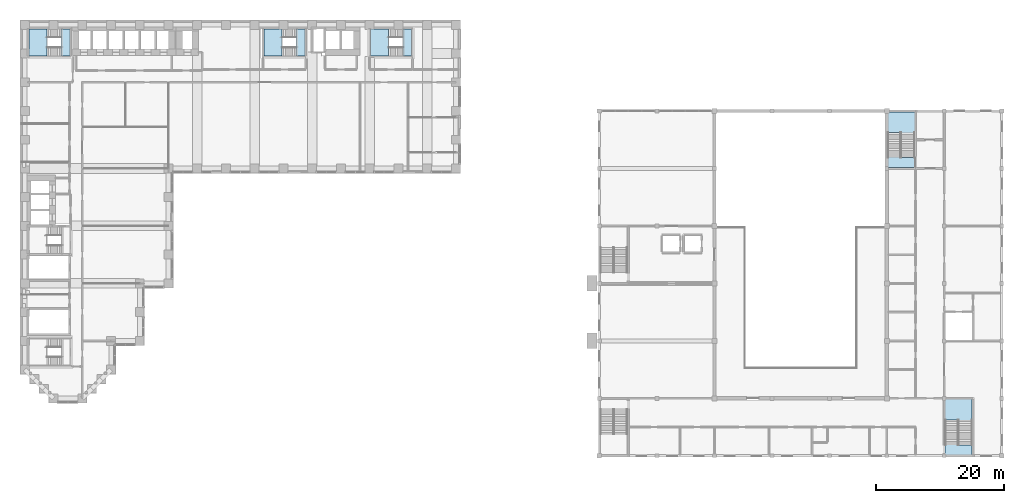
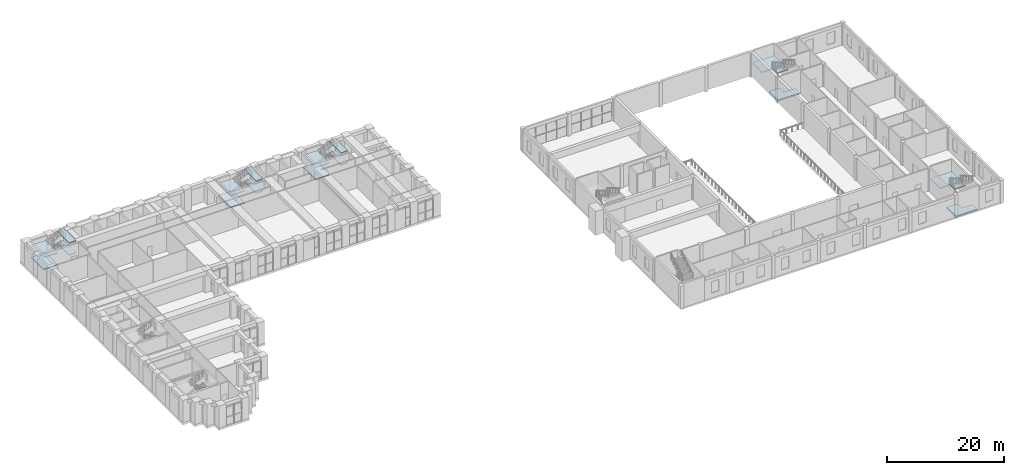
# One storey, part 17 of 34: 16 slabs, 5 elements without a shape of their own.
"""IFC4 building model written with IfcOpenShell, lengths in metres."""

import ifcopenshell
import ifcopenshell.guid

model = None  # the IFC model being written
_history = None  # IfcOwnerHistory: only IFC2X3 demands one
_inside = {}  # id of a spatial element -> (the spatial element, [elements in it])
_under = {}  # id of a project, library or spatial element -> (it, [spatial elements below it])
_declared = {}  # id of a project -> (the project, [libraries it declares])
_typed = {}  # id of a type object -> (the type object, [elements of that type])
_made_of = {}  # id of a material, layer set ... -> (it, [elements and type objects made of it])


def new_model(schema):
    """Start an empty IFC model of exactly this schema.

    Asked for "IFC4X3", IfcOpenShell would pick the latest addendum, in which some entities
    have other attributes; the version numbers below select the first issue.
    IFC2X3 requires an IfcOwnerHistory on every rooted entity: one is made here for all.
    """
    global model, _history
    if schema == "IFC4X3":
        model = ifcopenshell.file(schema_version=(4, 3, 0, 0))
    else:
        model = ifcopenshell.file(schema=schema)
    _inside.clear()
    _under.clear()
    _declared.clear()
    _typed.clear()
    _made_of.clear()
    _history = None
    if model.schema == "IFC2X3":
        org = make("IfcOrganization", Name="unknown")
        user = make(
            "IfcPersonAndOrganization",
            ThePerson=make("IfcPerson", FamilyName="unknown"),
            TheOrganization=org,
        )
        app = make(
            "IfcApplication",
            ApplicationDeveloper=org,
            Version="unknown",
            ApplicationFullName="unknown",
            ApplicationIdentifier="unknown",
        )
        _history = make(
            "IfcOwnerHistory",
            OwningUser=user,
            OwningApplication=app,
            ChangeAction="ADDED",
            CreationDate=0,
        )
    return model


def make(cls, **values):
    """One entity of the class cls with the attributes given. An attribute that is None is left unset."""
    return model.create_entity(
        cls, **{name: value for name, value in values.items() if value is not None}
    )


def rooted(cls, **values):
    """An entity with a GlobalId (a new one), such as an element, a storey or a relation."""
    return make(cls, GlobalId=ifcopenshell.guid.new(), OwnerHistory=_history, **values)


def si_unit(unit_type, name, prefix=None):
    """IfcSIUnit, for example si_unit("LENGTHUNIT", "METRE", prefix="MILLI")."""
    return make("IfcSIUnit", UnitType=unit_type, Prefix=prefix, Name=name)


def assignment(units):
    """IfcUnitAssignment: the units of a project."""
    return None if units is None else make("IfcUnitAssignment", Units=units)


def point(xyz):
    """IfcCartesianPoint."""
    return None if xyz is None else make("IfcCartesianPoint", Coordinates=xyz)


def direction(xyz):
    """IfcDirection."""
    return None if xyz is None else make("IfcDirection", DirectionRatios=xyz)


def frame(location, z_axis=None, x_axis=None):
    """IfcAxis2Placement3D, a coordinate frame: its origin and axes. An axis left out is left unset."""
    return make(
        "IfcAxis2Placement3D",
        Location=point(location),
        Axis=direction(z_axis),
        RefDirection=direction(x_axis),
    )


def origin():
    """The frame at (0, 0, 0) with its axes left unset."""
    return frame((0.0, 0.0, 0.0))


def place(relative_to, where):
    """IfcLocalPlacement: puts the frame where relative to a parent placement (None: the world)."""
    return make(
        "IfcLocalPlacement", PlacementRelTo=relative_to, RelativePlacement=where
    )


def context(
    kind, dimensions, precision=None, world=None, true_north=None, identifier=None
):
    """IfcGeometricRepresentationContext, for example the 3D "Model" context."""
    return make(
        "IfcGeometricRepresentationContext",
        ContextIdentifier=identifier,
        ContextType=kind,
        CoordinateSpaceDimension=dimensions,
        Precision=precision,
        WorldCoordinateSystem=world,
        TrueNorth=true_north,
    )


def subcontext(parent, identifier, kind, view, scale=None):
    """IfcGeometricRepresentationSubContext, for example "Body" below "Model"."""
    return make(
        "IfcGeometricRepresentationSubContext",
        ContextIdentifier=identifier,
        ContextType=kind,
        ParentContext=parent,
        TargetScale=scale,
        TargetView=view,
    )


def project(units=None, contexts=None):
    """IfcProject with its units and contexts."""
    return rooted(
        "IfcProject",
        Name="project",
        RepresentationContexts=contexts,
        UnitsInContext=assignment(units),
    )


def spatial(cls, under=None, at=None, **own):
    """A site, building, storey or space (cls), placed at a placement, below another one or the project."""
    s = rooted(cls, ObjectPlacement=at, **own)
    if under is not None:
        _under.setdefault(under.id(), (under, []))[1].append(s)
    return s


def polyline(points):
    """IfcPolyline through the points."""
    return make("IfcPolyline", Points=[point(p) for p in points])


def outline(outer, holes=None, kind="AREA"):
    """IfcArbitraryClosedProfileDef: a profile drawn as a closed curve; with holes, ...WithVoids."""
    if holes is None:
        return make("IfcArbitraryClosedProfileDef", ProfileType=kind, OuterCurve=outer)
    return make(
        "IfcArbitraryProfileDefWithVoids",
        ProfileType=kind,
        OuterCurve=outer,
        InnerCurves=holes,
    )


def extrude(swept, where, along, depth):
    """IfcExtrudedAreaSolid: the profile swept, set in the frame where, extruded along a direction by depth."""
    return make(
        "IfcExtrudedAreaSolid",
        SweptArea=swept,
        Position=where,
        ExtrudedDirection=direction(along),
        Depth=depth,
    )


def shape(context_of_items, identifier, shape_type, items):
    """IfcShapeRepresentation: the items that make up one representation, for example the "Body"."""
    return make(
        "IfcShapeRepresentation",
        ContextOfItems=context_of_items,
        RepresentationIdentifier=identifier,
        RepresentationType=shape_type,
        Items=items,
    )


def material(Name=None, Category=None):
    """IfcMaterial."""
    return make("IfcMaterial", Name=Name, Category=Category)


def layer(
    of_material, thickness, ventilated=None, Name=None, Category=None, Priority=None
):
    """IfcMaterialLayer: one layer of a wall or slab, of a material (None: an air gap)."""
    return make(
        "IfcMaterialLayer",
        Material=of_material,
        LayerThickness=thickness,
        IsVentilated=ventilated,
        Name=Name,
        Category=Category,
        Priority=Priority,
    )


def layer_set(layers, Name=None):
    """IfcMaterialLayerSet."""
    return make("IfcMaterialLayerSet", MaterialLayers=layers, LayerSetName=Name)


def made_of(thing, what):
    """Note that an element or type object is made of a material, layer set ...; save() writes the relation."""
    if what is not None:
        _made_of.setdefault(what.id(), (what, []))[1].append(thing)
    return thing


def type_object(cls, material=None, **own):
    """A type object (cls), such as IfcWallType, which elements share."""
    return made_of(rooted(cls, **own), material)


def element(
    cls,
    number,
    at=None,
    inside=None,
    cuts=None,
    type_object=None,
    material=None,
    context=None,
    identifier="Body",
    shape_type=None,
    held_by="IfcProductDefinitionShape",
    body=None,
    shapes=None,
    **own,
):
    """One element of the class cls, such as IfcWall. Its Tag is "e" and its number.

    at: its placement. inside: the storey or other place that contains it. cuts: it is an
    opening in that element (IfcRelVoidsElement). A single representation is given by context,
    identifier, shape_type and body (its items); several are given by shapes. held_by: the class
    of the entity that holds the representations. save() writes the other relations.
    """
    e = rooted(cls, Tag="e%d" % number, ObjectPlacement=at, **own)
    if body is not None:
        shapes = [shape(context, identifier, shape_type, body)]
    if shapes is not None:
        e.Representation = make(held_by, Representations=shapes)
    if inside is not None:
        _inside.setdefault(inside.id(), (inside, []))[1].append(e)
    if cuts is not None:
        rooted(
            "IfcRelVoidsElement", RelatingBuildingElement=cuts, RelatedOpeningElement=e
        )
    if type_object is not None:
        _typed.setdefault(type_object.id(), (type_object, []))[1].append(e)
    return made_of(e, material)


def aggregate(whole, parts):
    """IfcRelAggregates: a whole, such as a stair, and the parts it consists of."""
    return rooted("IfcRelAggregates", RelatingObject=whole, RelatedObjects=parts)


def save(model, path):
    """Write the relations noted so far, then the file.

    IfcRelAggregates (storeys below a building ...), IfcRelContainedInSpatialStructure (elements
    in a storey), IfcRelDefinesByType, IfcRelAssociatesMaterial and IfcRelDeclares: one each for
    every whole, place, type object, material and project.
    """
    for whole, parts in _under.values():
        aggregate(whole, parts)
    for where, things in _inside.values():
        rooted(
            "IfcRelContainedInSpatialStructure",
            RelatedElements=things,
            RelatingStructure=where,
        )
    for kind, things in _typed.values():
        rooted("IfcRelDefinesByType", RelatedObjects=things, RelatingType=kind)
    for what, things in _made_of.values():
        rooted("IfcRelAssociatesMaterial", RelatedObjects=things, RelatingMaterial=what)
    for by, libraries in _declared.values():
        rooted("IfcRelDeclares", RelatingContext=by, RelatedDefinitions=libraries)
    model.write(path)


model = new_model("IFC4")

# Units and contexts
model_context = context("Model", 3, precision=1e-05, world=origin(), true_north=direction((0.0, 1.0)))
body_context = subcontext(model_context, "Body", "Model", "MODEL_VIEW")
ifc_project = project(units=[si_unit("LENGTHUNIT", "METRE"), si_unit("AREAUNIT", "SQUARE_METRE"), si_unit("VOLUMEUNIT", "CUBIC_METRE"), si_unit("PLANEANGLEUNIT", "RADIAN"), si_unit("MASSUNIT", "GRAM", prefix="KILO")], contexts=[model_context])

# Site, building, storey
site_placement = place(None, origin())
site = spatial("IfcSite", under=ifc_project, at=site_placement, CompositionType="ELEMENT")
building_placement = place(site_placement, origin())
building = spatial("IfcBuilding", under=site, at=building_placement, Name="Firuza Court", CompositionType="ELEMENT")
storey_placement = place(building_placement, frame((0.0, 0.0, 14.0)))
storey = spatial("IfcBuildingStorey", under=building, at=storey_placement, Name="L02", CompositionType="ELEMENT", Elevation=14.0)

# Slabs
ifc_material_1 = material(Name="Concrete C40/50", Category="concrete")
ifc_layer_1 = layer(ifc_material_1, 0.300048828125)
ifc_layer_set_1 = layer_set([ifc_layer_1], Name="Concrete C40/50")
slab_type_1 = type_object("IfcSlabType", Name="HALL FLAT SLAB 300", PredefinedType="FLOOR", material=ifc_layer_set_1)
slab_1_placement = place(storey_placement, frame((0.0, 0.0, -0.300048828125)))
element("IfcSlab", 1, at=slab_1_placement, inside=storey, type_object=slab_type_1, Name="Floor slab L02.1", PredefinedType="FLOOR", context=body_context, shape_type="SweptSolid", body=[
    extrude(outline(polyline([(144.125, -8.875), (144.125, -5.800048828125), (146.199951171875, -5.800048828125), (146.199951171875, -7.2900390625), (148.375, -7.2900390625), (148.375, -8.875), (144.125, -8.875)])), origin(), (0.0, 0.0, 1.0), 0.300048828125),
])
slab_2_placement = place(storey_placement, frame((0.0, 0.0, -0.300048828125)))
element("IfcSlab", 2, at=slab_2_placement, inside=storey, type_object=slab_type_1, Name="Floor slab L02.5", PredefinedType="FLOOR", context=body_context, shape_type="SweptSolid", body=[
    extrude(outline(polyline([(135.125, 36.125), (135.125, 39.199951171875), (137.199951171875, 39.199951171875), (137.199951171875, 37.7099609375), (139.375, 37.7099609375), (139.375, 36.125), (135.125, 36.125)])), origin(), (0.0, 0.0, 1.0), 0.300048828125),
])

# Stair, slab
ifc_material_2 = material(Name="Concrete C40/50", Category="concrete")
stair_type_1 = type_object("IfcStairType", Name="HALL STAIR", PredefinedType="NOTDEFINED", material=ifc_material_2)
stair_1_placement = place(storey_placement, origin())
stair_1 = element("IfcStair", 3, at=stair_1_placement, inside=storey, type_object=stair_type_1, Name="Stair H2 L02", PredefinedType="NOTDEFINED")
ifc_layer_2 = layer(ifc_material_1, 0.199951171875)
ifc_layer_set_2 = layer_set([ifc_layer_2], Name="Concrete C40/50")
slab_type_2 = type_object("IfcSlabType", Name="HALL STAIR LANDING 200", PredefinedType="LANDING", material=ifc_layer_set_2)
slab_3_placement = place(storey_placement, frame((0.0, 0.0, 2.300048828125)))
slab_3 = element("IfcSlab", 4, at=slab_3_placement, type_object=slab_type_2, Name="HS-2 landing 1", PredefinedType="LANDING", context=body_context, shape_type="SweptSolid", body=[
    extrude(outline(polyline([(144.125, -3.389892578125), (146.199951171875, -3.389892578125), (146.199951171875, -4.8798828125), (148.375, -4.8798828125), (148.375, -0.125), (144.125, -0.125), (144.125, -3.389892578125)])), origin(), (0.0, 0.0, 1.0), 0.199951171875),
])
aggregate(stair_1, [slab_3])

stair_2_placement = place(storey_placement, origin())
stair_2 = element("IfcStair", 5, at=stair_2_placement, inside=storey, type_object=stair_type_1, Name="Stair H4 L02", PredefinedType="NOTDEFINED")
slab_4_placement = place(storey_placement, frame((0.0, 0.0, 2.300048828125)))
slab_4 = element("IfcSlab", 6, at=slab_4_placement, type_object=slab_type_2, Name="HS-4 landing 1", PredefinedType="LANDING", context=body_context, shape_type="SweptSolid", body=[
    extrude(outline(polyline([(135.125, 41.610107421875), (137.199951171875, 41.610107421875), (137.199951171875, 40.1201171875), (139.375, 40.1201171875), (139.375, 44.875), (135.125, 44.875), (135.125, 41.610107421875)])), origin(), (0.0, 0.0, 1.0), 0.199951171875),
])
aggregate(stair_2, [slab_4])

# Stair, slabs
ifc_material_3 = material(Name="Concrete C40/50 precast", Category="concrete")
stair_type_2 = type_object("IfcStairType", Name="Stair 1350 x 5000 4 flights", PredefinedType="QUARTER_TURN_STAIR", material=ifc_material_3)
stair_3_placement = place(storey_placement, origin())
stair_3 = element("IfcStair", 7, at=stair_3_placement, inside=storey, type_object=stair_type_2, Name="Stair 1 L02", PredefinedType="QUARTER_TURN_STAIR")
ifc_material_4 = material(Name="Concrete C40/50 precast", Category="concrete")
ifc_layer_3 = layer(ifc_material_4, 0.199951171875)
ifc_layer_set_3 = layer_set([ifc_layer_3], Name="Concrete C40/50 precast")
slab_type_3 = type_object("IfcSlabType", Name="Stair landing 200", PredefinedType="LANDING", material=ifc_layer_set_3)
slab_5_placement = place(storey_placement, frame((0.0, 0.0, 1.050048828125)))
slab_5 = element("IfcSlab", 8, at=slab_5_placement, type_object=slab_type_3, Name="S1 landing 1", PredefinedType="LANDING", context=body_context, shape_type="SweptSolid", body=[
    extrude(outline(polyline([(40.260009765625, 53.64990234375), (40.260009765625, 57.85009765625), (37.449951171875, 57.85009765625), (37.449951171875, 53.64990234375), (40.260009765625, 53.64990234375)])), origin(), (0.0, 0.0, 1.0), 0.199951171875),
])
slab_6_placement = place(storey_placement, frame((0.0, 0.0, 2.300048828125)))
slab_6 = element("IfcSlab", 9, at=slab_6_placement, type_object=slab_type_3, Name="S1 landing 2", PredefinedType="LANDING", context=body_context, shape_type="SweptSolid", body=[
    extrude(outline(polyline([(43.85009765625, 53.64990234375), (43.85009765625, 57.85009765625), (42.5, 57.85009765625), (42.5, 53.64990234375), (43.85009765625, 53.64990234375)])), origin(), (0.0, 0.0, 1.0), 0.199951171875),
])
slab_7_placement = place(storey_placement, frame((0.0, 0.0, 3.550048828125)))
slab_7 = element("IfcSlab", 10, at=slab_7_placement, type_object=slab_type_3, Name="S1 landing 3", PredefinedType="LANDING", context=body_context, shape_type="SweptSolid", body=[
    extrude(outline(polyline([(40.260009765625, 53.64990234375), (40.260009765625, 57.85009765625), (37.449951171875, 57.85009765625), (37.449951171875, 53.64990234375), (40.260009765625, 53.64990234375)])), origin(), (0.0, 0.0, 1.0), 0.199951171875),
])
slab_8_placement = place(storey_placement, frame((0.0, 0.0, 4.800048828125)))
slab_8 = element("IfcSlab", 11, at=slab_8_placement, type_object=slab_type_3, Name="S1 landing 4", PredefinedType="LANDING", context=body_context, shape_type="SweptSolid", body=[
    extrude(outline(polyline([(43.85009765625, 53.64990234375), (43.85009765625, 57.85009765625), (42.5, 57.85009765625), (42.5, 53.64990234375), (43.85009765625, 53.64990234375)])), origin(), (0.0, 0.0, 1.0), 0.199951171875),
])
aggregate(stair_3, [slab_5, slab_6, slab_7, slab_8])

stair_4_placement = place(storey_placement, origin())
stair_4 = element("IfcStair", 12, at=stair_4_placement, inside=storey, type_object=stair_type_2, Name="Stair 3 L02", PredefinedType="QUARTER_TURN_STAIR")
slab_9_placement = place(storey_placement, frame((0.0, 0.0, 1.050048828125)))
slab_9 = element("IfcSlab", 13, at=slab_9_placement, type_object=slab_type_3, Name="S3 landing 1", PredefinedType="LANDING", context=body_context, shape_type="SweptSolid", body=[
    extrude(outline(polyline([(3.4599609375, 53.64990234375), (3.4599609375, 57.85009765625), (0.64990234375, 57.85009765625), (0.64990234375, 53.64990234375), (3.4599609375, 53.64990234375)])), origin(), (0.0, 0.0, 1.0), 0.199951171875),
])
slab_10_placement = place(storey_placement, frame((0.0, 0.0, 2.300048828125)))
slab_10 = element("IfcSlab", 14, at=slab_10_placement, type_object=slab_type_3, Name="S3 landing 2", PredefinedType="LANDING", context=body_context, shape_type="SweptSolid", body=[
    extrude(outline(polyline([(7.050048828125, 53.64990234375), (7.050048828125, 57.85009765625), (5.699951171875, 57.85009765625), (5.699951171875, 53.64990234375), (7.050048828125, 53.64990234375)])), origin(), (0.0, 0.0, 1.0), 0.199951171875),
])
slab_11_placement = place(storey_placement, frame((0.0, 0.0, 3.550048828125)))
slab_11 = element("IfcSlab", 15, at=slab_11_placement, type_object=slab_type_3, Name="S3 landing 3", PredefinedType="LANDING", context=body_context, shape_type="SweptSolid", body=[
    extrude(outline(polyline([(3.4599609375, 53.64990234375), (3.4599609375, 57.85009765625), (0.64990234375, 57.85009765625), (0.64990234375, 53.64990234375), (3.4599609375, 53.64990234375)])), origin(), (0.0, 0.0, 1.0), 0.199951171875),
])
slab_12_placement = place(storey_placement, frame((0.0, 0.0, 4.800048828125)))
slab_12 = element("IfcSlab", 16, at=slab_12_placement, type_object=slab_type_3, Name="S3 landing 4", PredefinedType="LANDING", context=body_context, shape_type="SweptSolid", body=[
    extrude(outline(polyline([(7.050048828125, 53.64990234375), (7.050048828125, 57.85009765625), (5.699951171875, 57.85009765625), (5.699951171875, 53.64990234375), (7.050048828125, 53.64990234375)])), origin(), (0.0, 0.0, 1.0), 0.199951171875),
])
aggregate(stair_4, [slab_9, slab_10, slab_11, slab_12])

stair_5_placement = place(storey_placement, origin())
stair_5 = element("IfcStair", 17, at=stair_5_placement, inside=storey, type_object=stair_type_2, Name="Stair 4 L02", PredefinedType="QUARTER_TURN_STAIR")
slab_13_placement = place(storey_placement, frame((0.0, 0.0, 1.050048828125)))
slab_13 = element("IfcSlab", 18, at=slab_13_placement, type_object=slab_type_3, Name="S4 landing 1", PredefinedType="LANDING", context=body_context, shape_type="SweptSolid", body=[
    extrude(outline(polyline([(56.9599609375, 53.64990234375), (56.9599609375, 57.85009765625), (54.14990234375, 57.85009765625), (54.14990234375, 53.64990234375), (56.9599609375, 53.64990234375)])), origin(), (0.0, 0.0, 1.0), 0.199951171875),
])
slab_14_placement = place(storey_placement, frame((0.0, 0.0, 2.300048828125)))
slab_14 = element("IfcSlab", 19, at=slab_14_placement, type_object=slab_type_3, Name="S4 landing 2", PredefinedType="LANDING", context=body_context, shape_type="SweptSolid", body=[
    extrude(outline(polyline([(60.550048828125, 53.64990234375), (60.550048828125, 57.85009765625), (59.199951171875, 57.85009765625), (59.199951171875, 53.64990234375), (60.550048828125, 53.64990234375)])), origin(), (0.0, 0.0, 1.0), 0.199951171875),
])
slab_15_placement = place(storey_placement, frame((0.0, 0.0, 3.550048828125)))
slab_15 = element("IfcSlab", 20, at=slab_15_placement, type_object=slab_type_3, Name="S4 landing 3", PredefinedType="LANDING", context=body_context, shape_type="SweptSolid", body=[
    extrude(outline(polyline([(56.9599609375, 53.64990234375), (56.9599609375, 57.85009765625), (54.14990234375, 57.85009765625), (54.14990234375, 53.64990234375), (56.9599609375, 53.64990234375)])), origin(), (0.0, 0.0, 1.0), 0.199951171875),
])
slab_16_placement = place(storey_placement, frame((0.0, 0.0, 4.800048828125)))
slab_16 = element("IfcSlab", 21, at=slab_16_placement, type_object=slab_type_3, Name="S4 landing 4", PredefinedType="LANDING", context=body_context, shape_type="SweptSolid", body=[
    extrude(outline(polyline([(60.550048828125, 53.64990234375), (60.550048828125, 57.85009765625), (59.199951171875, 57.85009765625), (59.199951171875, 53.64990234375), (60.550048828125, 53.64990234375)])), origin(), (0.0, 0.0, 1.0), 0.199951171875),
])
aggregate(stair_5, [slab_13, slab_14, slab_15, slab_16])

save(model, "model.ifc")
